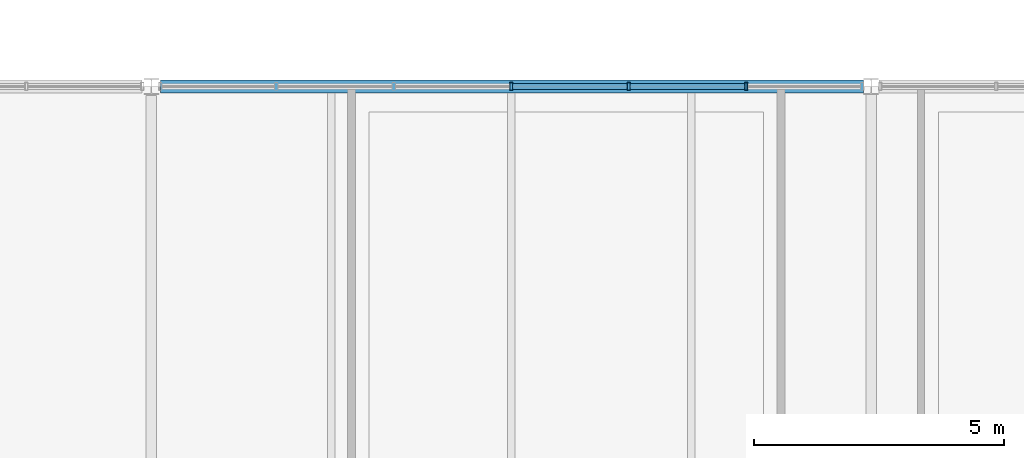
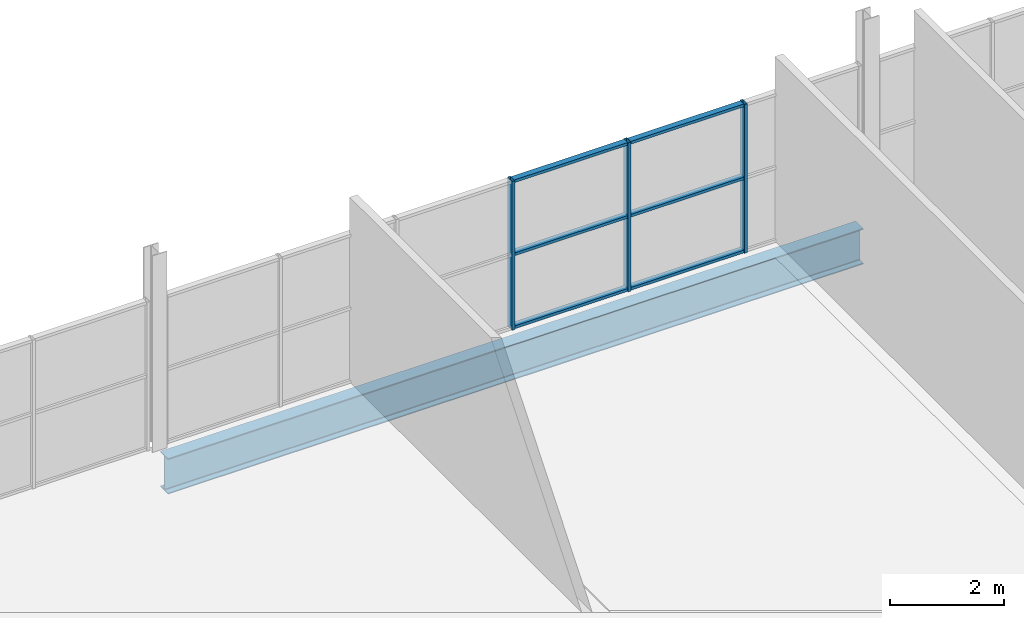
# One storey, part 56 of 93: 9 members, 1 beam, 1 element without a shape of its own.
"""IFC4 building model written with IfcOpenShell, lengths in metres."""

from ifc_helpers import new_model, si_unit, direction, frame, origin, origin_2d, place, context, subcontext, project, spatial, hollow_rectangle, i_section, extrude, material, material_profile, profile_set, type_object, element, aggregate, save


model = new_model("IFC4")

# Units and contexts
model_context = context("Model", 3, precision=1e-05, world=origin(), true_north=direction((0.0, 1.0)))
body_context = subcontext(model_context, "Body", "Model", "MODEL_VIEW")
ifc_project = project(units=[si_unit("LENGTHUNIT", "METRE"), si_unit("AREAUNIT", "SQUARE_METRE"), si_unit("VOLUMEUNIT", "CUBIC_METRE"), si_unit("PLANEANGLEUNIT", "RADIAN"), si_unit("MASSUNIT", "GRAM", prefix="KILO"), si_unit("THERMODYNAMICTEMPERATUREUNIT", "KELVIN")], contexts=[model_context])

# Site, building, storey
site_placement = place(None, origin())
site = spatial("IfcSite", under=ifc_project, at=site_placement, CompositionType="ELEMENT")
building_placement = place(site_placement, origin())
building = spatial("IfcBuilding", under=site, at=building_placement, Name="Nduvali Passage Aquatics Centre", CompositionType="ELEMENT")
storey_placement = place(building_placement, frame((0.0, 0.0, 9.0)))
storey = spatial("IfcBuildingStorey", under=building, at=storey_placement, Name="L02", CompositionType="ELEMENT", Elevation=9.0)

# Curtain wall, members
ifc_material_1 = material(Name="Aluminium EN AW-6063 T6", Category="aluminium")
curtain_wall_type = type_object("IfcCurtainWallType", Name="ENV-CW-WELL", PredefinedType="NOTDEFINED", material=ifc_material_1)
curtain_wall_placement = place(storey_placement, origin())
curtain_wall = element("IfcCurtainWall", 1, at=curtain_wall_placement, inside=storey, type_object=curtain_wall_type, Name="L02 North Avenue Clinic CW 109", PredefinedType="NOTDEFINED")
ifc_material_profile_1 = material_profile(ifc_material_1, hollow_rectangle(XDim=0.06005859375, YDim=0.159912109375, WallThickness=0.00390625, at=origin_2d()), Name="ALU MULLION 60x160x4")
ifc_profile_set_1 = profile_set([ifc_material_profile_1], Name="Aluminium EN AW-6063 T6")
member_type_1 = type_object("IfcMemberType", Name="ENV-MEM-MUL60", PredefinedType="MULLION", material=ifc_profile_set_1)
member_1_placement = place(storey_placement, frame((90.0, 117.60009765625, 0.0), z_axis=(0.0, 0.0, 1.0), x_axis=(1.0, 0.0, 0.0)))
member_1 = element("IfcMember", 2, at=member_1_placement, type_object=member_type_1, Name="North Avenue Clinic CW Mullion 4", PredefinedType="MULLION", context=body_context, shape_type="SweptSolid", body=[
    extrude(hollow_rectangle(XDim=0.06005859375, YDim=0.159912109375, WallThickness=0.00390625, at=origin_2d()), origin(), (0.0, 0.0, 1.0), 3.183837890625),
])
member_2_placement = place(storey_placement, frame((92.35009765625, 117.60009765625, 0.0), z_axis=(0.0, 0.0, 1.0), x_axis=(1.0, 0.0, 0.0)))
member_2 = element("IfcMember", 3, at=member_2_placement, type_object=member_type_1, Name="North Avenue Clinic CW Mullion 5", PredefinedType="MULLION", context=body_context, shape_type="SweptSolid", body=[
    extrude(hollow_rectangle(XDim=0.06005859375, YDim=0.159912109375, WallThickness=0.00390625, at=origin_2d()), origin(), (0.0, 0.0, 1.0), 3.183837890625),
])
member_3_placement = place(storey_placement, frame((94.699951171875, 117.60009765625, 0.0), z_axis=(0.0, 0.0, 1.0), x_axis=(1.0, 0.0, 0.0)))
member_3 = element("IfcMember", 4, at=member_3_placement, type_object=member_type_1, Name="North Avenue Clinic CW Mullion 6", PredefinedType="MULLION", context=body_context, shape_type="SweptSolid", body=[
    extrude(hollow_rectangle(XDim=0.06005859375, YDim=0.159912109375, WallThickness=0.00390625, at=origin_2d()), origin(), (0.0, 0.0, 1.0), 3.183837890625),
])
ifc_material_profile_2 = material_profile(ifc_material_1, hollow_rectangle(XDim=0.1201171875, YDim=0.06005859375, WallThickness=0.00390625, at=origin_2d()), Name="ALU TRANSOM 120x60x4")
ifc_profile_set_2 = profile_set([ifc_material_profile_2], Name="Aluminium EN AW-6063 T6")
member_type_2 = type_object("IfcMemberType", Name="ENV-MEM-TRN60", PredefinedType="USERDEFINED", material=ifc_profile_set_2)
member_4_placement = place(storey_placement, frame((90.030029296875, 117.60009765625, 0.030029296875), z_axis=(1.0, 0.0, 0.0), x_axis=(0.0, 1.0, 0.0)))
member_4 = element("IfcMember", 5, at=member_4_placement, type_object=member_type_2, Name="North Avenue Clinic CW Transom B4-R0", ObjectType="TRANSOM", PredefinedType="USERDEFINED", context=body_context, shape_type="SweptSolid", body=[
    extrude(hollow_rectangle(XDim=0.1201171875, YDim=0.06005859375, WallThickness=0.00390625, at=origin_2d()), origin(), (0.0, 0.0, 1.0), 2.2900390625),
])
member_5_placement = place(storey_placement, frame((90.030029296875, 117.60009765625, 1.591796875), z_axis=(1.0, 0.0, 0.0), x_axis=(0.0, 1.0, 0.0)))
member_5 = element("IfcMember", 6, at=member_5_placement, type_object=member_type_2, Name="North Avenue Clinic CW Transom B4-R1", ObjectType="TRANSOM", PredefinedType="USERDEFINED", context=body_context, shape_type="SweptSolid", body=[
    extrude(hollow_rectangle(XDim=0.1201171875, YDim=0.06005859375, WallThickness=0.00390625, at=origin_2d()), origin(), (0.0, 0.0, 1.0), 2.2900390625),
])
member_6_placement = place(storey_placement, frame((90.030029296875, 117.60009765625, 3.15380859375), z_axis=(1.0, 0.0, 0.0), x_axis=(0.0, 1.0, 0.0)))
member_6 = element("IfcMember", 7, at=member_6_placement, type_object=member_type_2, Name="North Avenue Clinic CW Transom B4-R2", ObjectType="TRANSOM", PredefinedType="USERDEFINED", context=body_context, shape_type="SweptSolid", body=[
    extrude(hollow_rectangle(XDim=0.1201171875, YDim=0.06005859375, WallThickness=0.00390625, at=origin_2d()), origin(), (0.0, 0.0, 1.0), 2.2900390625),
])
member_7_placement = place(storey_placement, frame((92.3798828125, 117.60009765625, 0.030029296875), z_axis=(1.0, 0.0, 0.0), x_axis=(0.0, 1.0, 0.0)))
member_7 = element("IfcMember", 8, at=member_7_placement, type_object=member_type_2, Name="North Avenue Clinic CW Transom B5-R0", ObjectType="TRANSOM", PredefinedType="USERDEFINED", context=body_context, shape_type="SweptSolid", body=[
    extrude(hollow_rectangle(XDim=0.1201171875, YDim=0.06005859375, WallThickness=0.00390625, at=origin_2d()), origin(), (0.0, 0.0, 1.0), 2.2900390625),
])
member_8_placement = place(storey_placement, frame((92.3798828125, 117.60009765625, 1.591796875), z_axis=(1.0, 0.0, 0.0), x_axis=(0.0, 1.0, 0.0)))
member_8 = element("IfcMember", 9, at=member_8_placement, type_object=member_type_2, Name="North Avenue Clinic CW Transom B5-R1", ObjectType="TRANSOM", PredefinedType="USERDEFINED", context=body_context, shape_type="SweptSolid", body=[
    extrude(hollow_rectangle(XDim=0.1201171875, YDim=0.06005859375, WallThickness=0.00390625, at=origin_2d()), origin(), (0.0, 0.0, 1.0), 2.2900390625),
])
member_9_placement = place(storey_placement, frame((92.3798828125, 117.60009765625, 3.15380859375), z_axis=(1.0, 0.0, 0.0), x_axis=(0.0, 1.0, 0.0)))
member_9 = element("IfcMember", 10, at=member_9_placement, type_object=member_type_2, Name="North Avenue Clinic CW Transom B5-R2", ObjectType="TRANSOM", PredefinedType="USERDEFINED", context=body_context, shape_type="SweptSolid", body=[
    extrude(hollow_rectangle(XDim=0.1201171875, YDim=0.06005859375, WallThickness=0.00390625, at=origin_2d()), origin(), (0.0, 0.0, 1.0), 2.2900390625),
])
aggregate(curtain_wall, [member_1, member_2, member_3, member_4, member_5, member_6, member_7, member_8, member_9])

# Beam
ifc_material_2 = material(Name="Steel S355", Category="steel")
ifc_material_profile_3 = material_profile(ifc_material_2, i_section(OverallWidth=0.2666015625, OverallDepth=0.76220703125, WebThickness=0.014404296875, FlangeThickness=0.021484375, FilletRadius=0.0166015625, at=origin_2d()), Name="UKB 762x267x173")
ifc_profile_set_3 = profile_set([ifc_material_profile_3], Name="Steel S355")
beam_type = type_object("IfcBeamType", Name="STR-BM-UKB762-EXT", PredefinedType="BEAM", material=ifc_profile_set_3)
beam_placement = place(storey_placement, frame((82.985107421875, 117.60009765625, -0.64501953125), z_axis=(1.0, 0.0, 0.0), x_axis=(0.0, 1.0, 0.0)))
element("IfcBeam", 11, at=beam_placement, inside=storey, type_object=beam_type, Name="L02 Primary X-Girder B4CE-0947", PredefinedType="BEAM", context=body_context, shape_type="SweptSolid", body=[
    extrude(i_section(OverallWidth=0.2666015625, OverallDepth=0.76220703125, WebThickness=0.014404296875, FlangeThickness=0.021484375, FilletRadius=0.0166015625, at=origin_2d()), origin(), (0.0, 0.0, 1.0), 14.060302734375),
])

save(model, "model.ifc")
